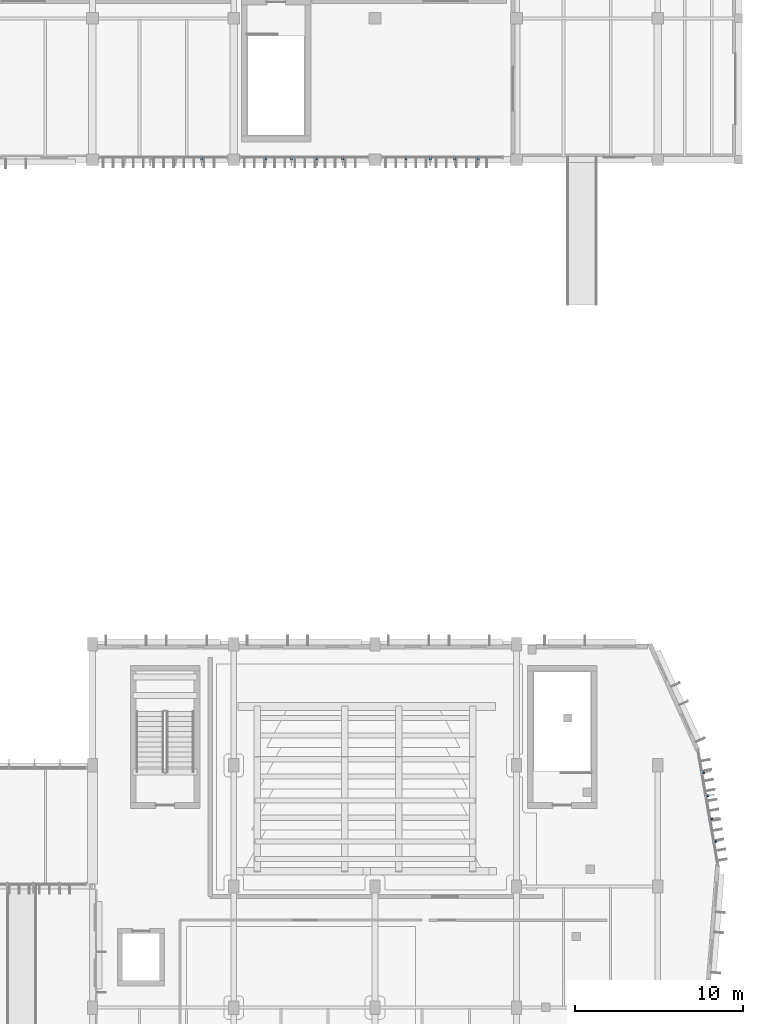
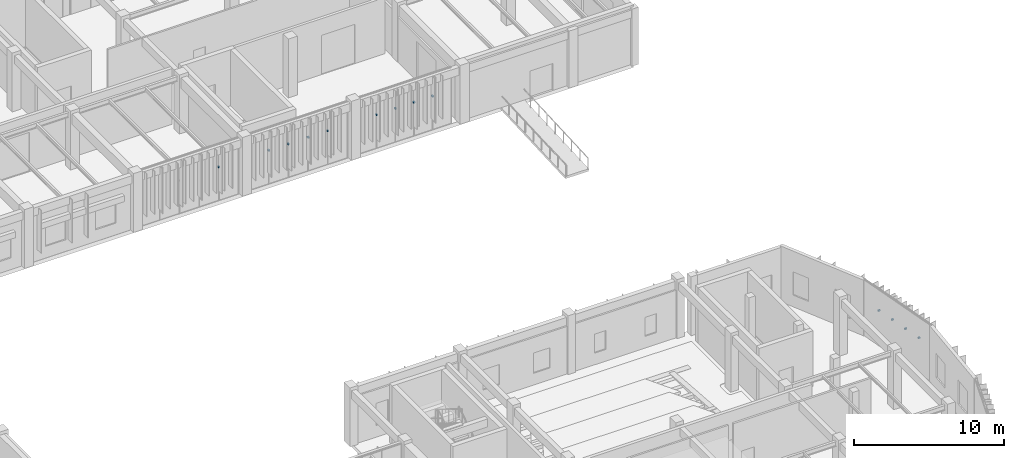
# One storey, part 52 of 122: 13 discrete accessories.
"""IFC4 building model written with IfcOpenShell, lengths in metres."""

from ifc_helpers import new_model, si_unit, direction, frame, origin, origin_2d, place, context, subcontext, project, spatial, rectangle, extrude, material, type_object, element, save


model = new_model("IFC4")

# Units and contexts
model_context = context("Model", 3, precision=1e-05, world=origin(), true_north=direction((0.0, 1.0)))
body_context = subcontext(model_context, "Body", "Model", "MODEL_VIEW")
ifc_project = project(units=[si_unit("LENGTHUNIT", "METRE"), si_unit("AREAUNIT", "SQUARE_METRE"), si_unit("VOLUMEUNIT", "CUBIC_METRE"), si_unit("PLANEANGLEUNIT", "RADIAN"), si_unit("MASSUNIT", "GRAM", prefix="KILO")], contexts=[model_context])

# Site, building, storey
site_placement = place(None, origin())
site = spatial("IfcSite", under=ifc_project, at=site_placement, CompositionType="ELEMENT")
building_placement = place(site_placement, origin())
building = spatial("IfcBuilding", under=site, at=building_placement, Name="Tazoul Stagehouse", CompositionType="ELEMENT")
storey_placement = place(building_placement, origin())
storey = spatial("IfcBuildingStorey", under=building, at=storey_placement, Name="L00", CompositionType="ELEMENT", Elevation=0.0)

# Discrete accessories
ifc_material = material(Name="Austenitic Stainless Steel EN 1.4401", Category="steel")
discrete_accessory_type = type_object("IfcDiscreteAccessoryType", Name="Stainless Steel Louvre Support Cleat Bracket", PredefinedType="BRACKET", material=ifc_material)
for number, where, z_axis, x_axis, name in (
    (1, (162.41162109375, 47.26708984375, 2.66064453125), (0.0, 0.0, 1.0), (-0.171495809953, 0.985184849238, 0.0), "Cleat Bracket BRK-01 CW-V4-DRUM-L00-S09-BRK01"),
    (2, (162.174560546875, 48.628662109375, 2.66064453125), (0.0, 0.0, 1.0), (-0.171495809953, 0.985184849238, 0.0), "Cleat Bracket BRK-01 CW-V4-DRUM-L00-S09-BRK02"),
    (3, (161.9375, 49.990234375, 2.66064453125), (0.0, 0.0, 1.0), (-0.171495809953, 0.985184849238, 0.0), "Cleat Bracket BRK-01 CW-V4-DRUM-L00-S09-BRK03"),
    (4, (161.700439453125, 51.351806640625, 2.66064453125), (0.0, 0.0, 1.0), (-0.171495809953, 0.985184849238, 0.0), "Cleat Bracket BRK-01 CW-V4-DRUM-L00-S09-BRK04"),
    (5, (131.8798828125, 87.8701171875, 2.66064453125), (0.0, 0.0, 1.0), (1.0, 0.0, 0.0), "Cleat Bracket BRK-01 CW-V3-S2-L00-B1-BRK04"),
    (6, (135.719970703125, 87.8701171875, 2.66064453125), (0.0, 0.0, 1.0), (1.0, 0.0, 0.0), "Cleat Bracket BRK-01 CW-V3-S2-L00-B2-BRK01"),
    (7, (137.239990234375, 87.8701171875, 2.66064453125), (0.0, 0.0, 1.0), (1.0, 0.0, 0.0), "Cleat Bracket BRK-01 CW-V3-S2-L00-B2-BRK02"),
    (8, (138.760009765625, 87.8701171875, 2.66064453125), (0.0, 0.0, 1.0), (1.0, 0.0, 0.0), "Cleat Bracket BRK-01 CW-V3-S2-L00-B2-BRK03"),
    (9, (140.280029296875, 87.8701171875, 2.66064453125), (0.0, 0.0, 1.0), (1.0, 0.0, 0.0), "Cleat Bracket BRK-01 CW-V3-S2-L00-B2-BRK04"),
    (10, (144.0400390625, 87.8701171875, 2.66064453125), (0.0, 0.0, 1.0), (1.0, 0.0, 0.0), "Cleat Bracket BRK-01 CW-V3-S2-L00-B3-BRK01"),
    (11, (145.47998046875, 87.8701171875, 2.66064453125), (0.0, 0.0, 1.0), (1.0, 0.0, 0.0), "Cleat Bracket BRK-01 CW-V3-S2-L00-B3-BRK02"),
    (12, (146.919921875, 87.8701171875, 2.66064453125), (0.0, 0.0, 1.0), (1.0, 0.0, 0.0), "Cleat Bracket BRK-01 CW-V3-S2-L00-B3-BRK03"),
    (13, (148.360107421875, 87.8701171875, 2.66064453125), (0.0, 0.0, 1.0), (1.0, 0.0, 0.0), "Cleat Bracket BRK-01 CW-V3-S2-L00-B3-BRK04"),
):
    element("IfcDiscreteAccessory", number, at=place(storey_placement, frame(where, z_axis=z_axis, x_axis=x_axis)), inside=storey, type_object=discrete_accessory_type, Name=name, PredefinedType="BRACKET", context=body_context, shape_type="SweptSolid", body=[
        extrude(rectangle(XDim=0.1201171875, YDim=0.159912109375, at=origin_2d()), origin(), (0.0, 0.0, 1.0), 0.1201171875),
    ])

save(model, "model.ifc")
